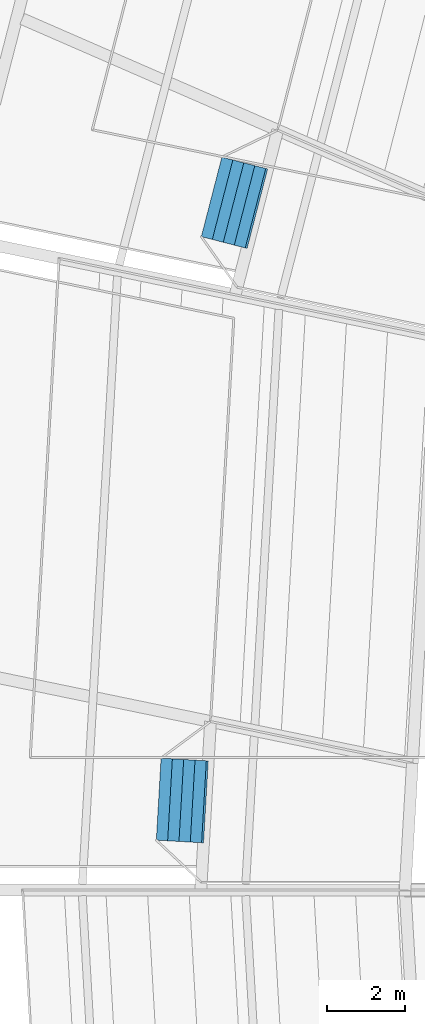
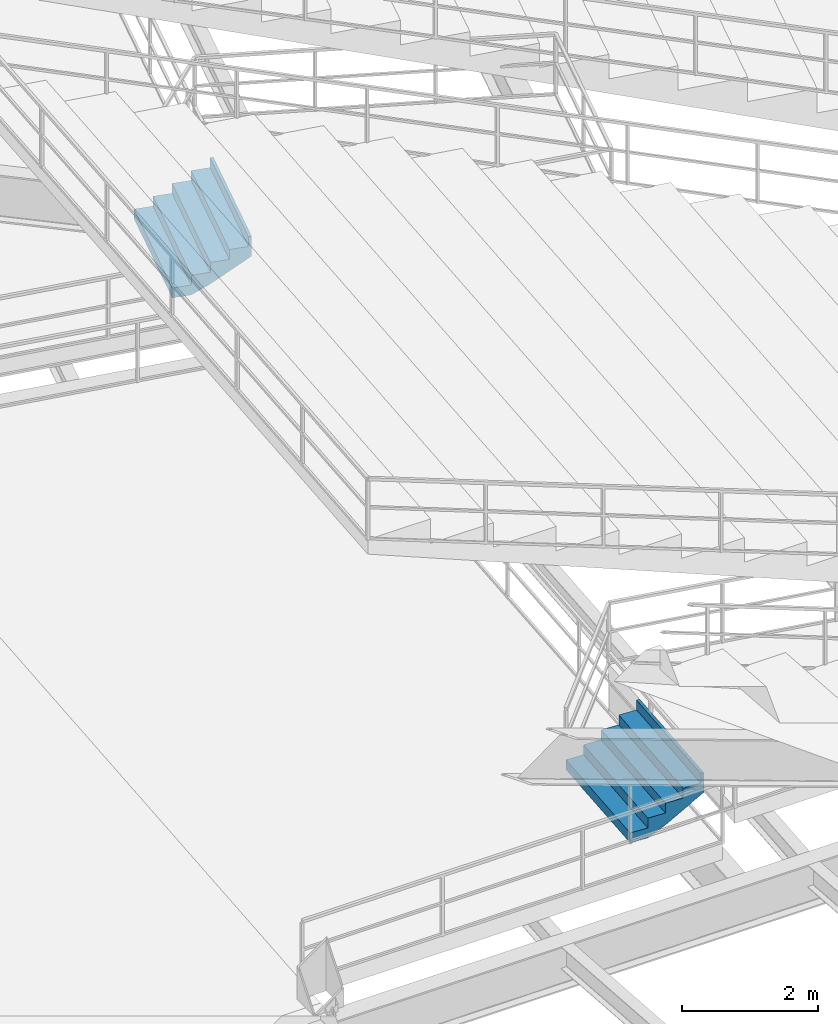
# One storey, part 151 of 186: 2 stair flights, 2 elements without a shape of their own.
"""IFC4 building model written with IfcOpenShell, lengths in metres."""

from ifc_helpers import new_model, si_unit, direction, frame, origin, place, context, subcontext, project, spatial, polygons, material, type_object, element, aggregate, save


model = new_model("IFC4")

# Units and contexts
model_context = context("Model", 3, precision=1e-05, world=origin(), true_north=direction((0.0, 1.0)))
body_context = subcontext(model_context, "Body", "Model", "MODEL_VIEW")
ifc_project = project(units=[si_unit("LENGTHUNIT", "METRE"), si_unit("AREAUNIT", "SQUARE_METRE"), si_unit("VOLUMEUNIT", "CUBIC_METRE"), si_unit("PLANEANGLEUNIT", "RADIAN"), si_unit("MASSUNIT", "GRAM", prefix="KILO")], contexts=[model_context])

# Site, building, storey
site_placement = place(None, origin())
site = spatial("IfcSite", under=ifc_project, at=site_placement, CompositionType="ELEMENT")
building_placement = place(site_placement, origin())
building = spatial("IfcBuilding", under=site, at=building_placement, Name="Kazemori Nagisa Stadium", CompositionType="ELEMENT")
storey_placement = place(building_placement, frame((0.0, 0.0, 20.39990234375)))
storey = spatial("IfcBuildingStorey", under=building, at=storey_placement, Name="L04", CompositionType="ELEMENT", Elevation=20.39990234375)

# Stair, stair flight
ifc_material = material(Name="Concrete C36/45 (Fc36)", Category="concrete")
stair_type = type_object("IfcStairType", Name="Stair_VOM_VU", PredefinedType="STRAIGHT_RUN_STAIR", material=ifc_material)
stair_1_placement = place(storey_placement, origin())
stair_1 = element("IfcStair", 1, at=stair_1_placement, inside=storey, type_object=stair_type, Name="Vomitory stair upper VU05", PredefinedType="STRAIGHT_RUN_STAIR")
stair_flight_type = type_object("IfcStairFlightType", Name="Flight_VOM_VU", PredefinedType="STRAIGHT", material=ifc_material)
stair_flight_1_placement = place(storey_placement, frame((48.700439453125, 119.732177734375, 0.0), z_axis=(0.0, 0.0, 1.0), x_axis=(0.968244465831, -0.250005308717, 0.0)))
stair_flight_1 = element("IfcStairFlight", 2, at=stair_flight_1_placement, type_object=stair_flight_type, Name="Vomitory stair upper VU05 flight", NumberOfRisers=5, NumberOfTreads=4, PredefinedType="STRAIGHT", RiserHeight=0.176, TreadLength=0.29, context=body_context, shape_type="Tessellation", body=[
    polygons([(0.0, -1.050048828125, 0.0), (0.0, -1.050048828125, 0.176025390625), (0.2900390625, -1.050048828125, 0.176025390625), (0.2900390625, -1.050048828125, 0.35205078125), (0.580078125, -1.050048828125, 0.35205078125), (0.580078125, -1.050048828125, 0.528076171875), (0.8701171875, -1.050048828125, 0.528076171875), (0.8701171875, -1.050048828125, 0.7041015625), (1.159912109375, -1.050048828125, 0.7041015625), (1.159912109375, -1.050048828125, 0.8798828125), (1.2099609375, -1.050048828125, 0.8798828125), (1.2099609375, -1.050048828125, 0.52392578125), (1.159912109375, -1.050048828125, 0.493408203125), (0.8701171875, -1.050048828125, 0.317626953125), (0.580078125, -1.050048828125, 0.1416015625), (0.2900390625, -1.050048828125, 0.0), (0.0, -0.083984375, 0.0), (0.0, -0.083984375, 0.176025390625), (0.2900390625, -0.083984375, 0.176025390625), (0.2900390625, -0.083984375, 0.35205078125), (0.580078125, -0.083984375, 0.35205078125), (0.580078125, -0.083984375, 0.528076171875), (0.8701171875, -0.083984375, 0.528076171875), (0.8701171875, -0.083984375, 0.7041015625), (1.159912109375, -0.083984375, 0.7041015625), (1.159912109375, -0.083984375, 0.8798828125), (1.2099609375, -0.083984375, 0.8798828125), (1.2099609375, -0.083984375, 0.52392578125), (1.159912109375, -0.083984375, 0.493408203125), (0.8701171875, -0.083984375, 0.317626953125), (0.580078125, -0.083984375, 0.1416015625), (0.2900390625, -0.083984375, 0.0), (0.0, -0.06298828125, 0.0), (0.0, -0.06298828125, 0.176025390625), (0.2900390625, -0.06298828125, 0.176025390625), (0.2900390625, -0.06298828125, 0.35205078125), (0.580078125, -0.06298828125, 0.35205078125), (0.580078125, -0.06298828125, 0.528076171875), (0.8701171875, -0.06298828125, 0.528076171875), (0.8701171875, -0.06298828125, 0.7041015625), (1.159912109375, -0.06298828125, 0.7041015625), (1.159912109375, -0.06298828125, 0.8798828125), (1.2099609375, -0.06298828125, 0.8798828125), (1.2099609375, -0.06298828125, 0.52392578125), (1.159912109375, -0.06298828125, 0.493408203125), (0.8701171875, -0.06298828125, 0.317626953125), (0.580078125, -0.06298828125, 0.1416015625), (0.2900390625, -0.06298828125, 0.0), (0.0, -0.0419921875, 0.0), (0.0, -0.0419921875, 0.176025390625), (0.2900390625, -0.0419921875, 0.176025390625), (0.2900390625, -0.0419921875, 0.35205078125), (0.580078125, -0.0419921875, 0.35205078125), (0.580078125, -0.0419921875, 0.528076171875), (0.8701171875, -0.0419921875, 0.528076171875), (0.8701171875, -0.0419921875, 0.7041015625), (1.159912109375, -0.0419921875, 0.7041015625), (1.159912109375, -0.0419921875, 0.8798828125), (1.2099609375, -0.0419921875, 0.8798828125), (1.2099609375, -0.0419921875, 0.52392578125), (1.159912109375, -0.0419921875, 0.493408203125), (0.8701171875, -0.0419921875, 0.317626953125), (0.580078125, -0.0419921875, 0.1416015625), (0.2900390625, -0.0419921875, 0.0), (0.0, -0.02099609375, 0.0), (0.0, -0.02099609375, 0.176025390625), (0.2900390625, -0.02099609375, 0.176025390625), (0.2900390625, -0.02099609375, 0.35205078125), (0.580078125, -0.02099609375, 0.35205078125), (0.580078125, -0.02099609375, 0.528076171875), (0.8701171875, -0.02099609375, 0.528076171875), (0.8701171875, -0.02099609375, 0.7041015625), (1.159912109375, -0.02099609375, 0.7041015625), (1.159912109375, -0.02099609375, 0.8798828125), (1.2099609375, -0.02099609375, 0.8798828125), (1.2099609375, -0.02099609375, 0.52392578125), (1.159912109375, -0.02099609375, 0.493408203125), (0.8701171875, -0.02099609375, 0.317626953125), (0.580078125, -0.02099609375, 0.1416015625), (0.2900390625, -0.02099609375, 0.0), (0.0, 0.0, 0.0), (0.0, 0.0, 0.176025390625), (0.2900390625, 0.0, 0.176025390625), (0.2900390625, 0.0, 0.35205078125), (0.580078125, 0.0, 0.35205078125), (0.580078125, 0.0, 0.528076171875), (0.8701171875, 0.0, 0.528076171875), (0.8701171875, 0.0, 0.7041015625), (1.159912109375, 0.0, 0.7041015625), (1.159912109375, 0.0, 0.8798828125), (1.2099609375, 0.0, 0.8798828125), (1.2099609375, 0.0, 0.52392578125), (1.159912109375, 0.0, 0.493408203125), (0.8701171875, 0.0, 0.317626953125), (0.580078125, 0.0, 0.1416015625), (0.2900390625, 0.0, 0.0), (0.0, 0.02099609375, 0.0), (0.0, 0.02099609375, 0.176025390625), (0.2900390625, 0.02099609375, 0.176025390625), (0.2900390625, 0.02099609375, 0.35205078125), (0.580078125, 0.02099609375, 0.35205078125), (0.580078125, 0.02099609375, 0.528076171875), (0.8701171875, 0.02099609375, 0.528076171875), (0.8701171875, 0.02099609375, 0.7041015625), (1.159912109375, 0.02099609375, 0.7041015625), (1.159912109375, 0.02099609375, 0.8798828125), (1.2099609375, 0.02099609375, 0.8798828125), (1.2099609375, 0.02099609375, 0.52392578125), (1.159912109375, 0.02099609375, 0.493408203125), (0.8701171875, 0.02099609375, 0.317626953125), (0.580078125, 0.02099609375, 0.1416015625), (0.2900390625, 0.02099609375, 0.0), (0.0, 0.0419921875, 0.0), (0.0, 0.0419921875, 0.176025390625), (0.2900390625, 0.0419921875, 0.176025390625), (0.2900390625, 0.0419921875, 0.35205078125), (0.580078125, 0.0419921875, 0.35205078125), (0.580078125, 0.0419921875, 0.528076171875), (0.8701171875, 0.0419921875, 0.528076171875), (0.8701171875, 0.0419921875, 0.7041015625), (1.159912109375, 0.0419921875, 0.7041015625), (1.159912109375, 0.0419921875, 0.8798828125), (1.2099609375, 0.0419921875, 0.8798828125), (1.2099609375, 0.0419921875, 0.52392578125), (1.159912109375, 0.0419921875, 0.493408203125), (0.8701171875, 0.0419921875, 0.317626953125), (0.580078125, 0.0419921875, 0.1416015625), (0.2900390625, 0.0419921875, 0.0), (0.0, 0.06298828125, 0.0), (0.0, 0.06298828125, 0.176025390625), (0.2900390625, 0.06298828125, 0.176025390625), (0.2900390625, 0.06298828125, 0.35205078125), (0.580078125, 0.06298828125, 0.35205078125), (0.580078125, 0.06298828125, 0.528076171875), (0.8701171875, 0.06298828125, 0.528076171875), (0.8701171875, 0.06298828125, 0.7041015625), (1.159912109375, 0.06298828125, 0.7041015625), (1.159912109375, 0.06298828125, 0.8798828125), (1.2099609375, 0.06298828125, 0.8798828125), (1.2099609375, 0.06298828125, 0.52392578125), (1.159912109375, 0.06298828125, 0.493408203125), (0.8701171875, 0.06298828125, 0.317626953125), (0.580078125, 0.06298828125, 0.1416015625), (0.2900390625, 0.06298828125, 0.0), (0.0, 0.083984375, 0.0), (0.0, 0.083984375, 0.176025390625), (0.2900390625, 0.083984375, 0.176025390625), (0.2900390625, 0.083984375, 0.35205078125), (0.580078125, 0.083984375, 0.35205078125), (0.580078125, 0.083984375, 0.528076171875), (0.8701171875, 0.083984375, 0.528076171875), (0.8701171875, 0.083984375, 0.7041015625), (1.159912109375, 0.083984375, 0.7041015625), (1.159912109375, 0.083984375, 0.8798828125), (1.2099609375, 0.083984375, 0.8798828125), (1.2099609375, 0.083984375, 0.52392578125), (1.159912109375, 0.083984375, 0.493408203125), (0.8701171875, 0.083984375, 0.317626953125), (0.580078125, 0.083984375, 0.1416015625), (0.2900390625, 0.083984375, 0.0), (0.0, 1.050048828125, 0.0), (0.0, 1.050048828125, 0.176025390625), (0.2900390625, 1.050048828125, 0.176025390625), (0.2900390625, 1.050048828125, 0.35205078125), (0.580078125, 1.050048828125, 0.35205078125), (0.580078125, 1.050048828125, 0.528076171875), (0.8701171875, 1.050048828125, 0.528076171875), (0.8701171875, 1.050048828125, 0.7041015625), (1.159912109375, 1.050048828125, 0.7041015625), (1.159912109375, 1.050048828125, 0.8798828125), (1.2099609375, 1.050048828125, 0.8798828125), (1.2099609375, 1.050048828125, 0.52392578125), (1.159912109375, 1.050048828125, 0.493408203125), (0.8701171875, 1.050048828125, 0.317626953125), (0.580078125, 1.050048828125, 0.1416015625), (0.2900390625, 1.050048828125, 0.0)], [[[1, 2, 18]], [[1, 18, 17]], [[2, 3, 19]], [[2, 19, 18]], [[3, 4, 20]], [[3, 20, 19]], [[4, 5, 21]], [[4, 21, 20]], [[5, 6, 22]], [[5, 22, 21]], [[6, 7, 23]], [[6, 23, 22]], [[7, 8, 24]], [[7, 24, 23]], [[8, 9, 25]], [[8, 25, 24]], [[9, 10, 26]], [[9, 26, 25]], [[10, 11, 27]], [[10, 27, 26]], [[11, 12, 28]], [[11, 28, 27]], [[12, 13, 29]], [[12, 29, 28]], [[13, 14, 30]], [[13, 30, 29]], [[14, 15, 31]], [[14, 31, 30]], [[15, 16, 32]], [[15, 32, 31]], [[16, 1, 17]], [[16, 17, 32]], [[17, 18, 34]], [[17, 34, 33]], [[18, 19, 35]], [[18, 35, 34]], [[19, 20, 36]], [[19, 36, 35]], [[20, 21, 37]], [[20, 37, 36]], [[21, 22, 38]], [[21, 38, 37]], [[22, 23, 39]], [[22, 39, 38]], [[23, 24, 40]], [[23, 40, 39]], [[24, 25, 41]], [[24, 41, 40]], [[25, 26, 42]], [[25, 42, 41]], [[26, 27, 43]], [[26, 43, 42]], [[27, 28, 44]], [[27, 44, 43]], [[28, 29, 45]], [[28, 45, 44]], [[29, 30, 46]], [[29, 46, 45]], [[30, 31, 47]], [[30, 47, 46]], [[31, 32, 48]], [[31, 48, 47]], [[32, 17, 33]], [[32, 33, 48]], [[33, 34, 50]], [[33, 50, 49]], [[34, 35, 51]], [[34, 51, 50]], [[35, 36, 52]], [[35, 52, 51]], [[36, 37, 53]], [[36, 53, 52]], [[37, 38, 54]], [[37, 54, 53]], [[38, 39, 55]], [[38, 55, 54]], [[39, 40, 56]], [[39, 56, 55]], [[40, 41, 57]], [[40, 57, 56]], [[41, 42, 58]], [[41, 58, 57]], [[42, 43, 59]], [[42, 59, 58]], [[43, 44, 60]], [[43, 60, 59]], [[44, 45, 61]], [[44, 61, 60]], [[45, 46, 62]], [[45, 62, 61]], [[46, 47, 63]], [[46, 63, 62]], [[47, 48, 64]], [[47, 64, 63]], [[48, 33, 49]], [[48, 49, 64]], [[49, 50, 66]], [[49, 66, 65]], [[50, 51, 67]], [[50, 67, 66]], [[51, 52, 68]], [[51, 68, 67]], [[52, 53, 69]], [[52, 69, 68]], [[53, 54, 70]], [[53, 70, 69]], [[54, 55, 71]], [[54, 71, 70]], [[55, 56, 72]], [[55, 72, 71]], [[56, 57, 73]], [[56, 73, 72]], [[57, 58, 74]], [[57, 74, 73]], [[58, 59, 75]], [[58, 75, 74]], [[59, 60, 76]], [[59, 76, 75]], [[60, 61, 77]], [[60, 77, 76]], [[61, 62, 78]], [[61, 78, 77]], [[62, 63, 79]], [[62, 79, 78]], [[63, 64, 80]], [[63, 80, 79]], [[64, 49, 65]], [[64, 65, 80]], [[65, 66, 82]], [[65, 82, 81]], [[66, 67, 83]], [[66, 83, 82]], [[67, 68, 84]], [[67, 84, 83]], [[68, 69, 85]], [[68, 85, 84]], [[69, 70, 86]], [[69, 86, 85]], [[70, 71, 87]], [[70, 87, 86]], [[71, 72, 88]], [[71, 88, 87]], [[72, 73, 89]], [[72, 89, 88]], [[73, 74, 90]], [[73, 90, 89]], [[74, 75, 91]], [[74, 91, 90]], [[75, 76, 92]], [[75, 92, 91]], [[76, 77, 93]], [[76, 93, 92]], [[77, 78, 94]], [[77, 94, 93]], [[78, 79, 95]], [[78, 95, 94]], [[79, 80, 96]], [[79, 96, 95]], [[80, 65, 81]], [[80, 81, 96]], [[81, 82, 98]], [[81, 98, 97]], [[82, 83, 99]], [[82, 99, 98]], [[83, 84, 100]], [[83, 100, 99]], [[84, 85, 101]], [[84, 101, 100]], [[85, 86, 102]], [[85, 102, 101]], [[86, 87, 103]], [[86, 103, 102]], [[87, 88, 104]], [[87, 104, 103]], [[88, 89, 105]], [[88, 105, 104]], [[89, 90, 106]], [[89, 106, 105]], [[90, 91, 107]], [[90, 107, 106]], [[91, 92, 108]], [[91, 108, 107]], [[92, 93, 109]], [[92, 109, 108]], [[93, 94, 110]], [[93, 110, 109]], [[94, 95, 111]], [[94, 111, 110]], [[95, 96, 112]], [[95, 112, 111]], [[96, 81, 97]], [[96, 97, 112]], [[97, 98, 114]], [[97, 114, 113]], [[98, 99, 115]], [[98, 115, 114]], [[99, 100, 116]], [[99, 116, 115]], [[100, 101, 117]], [[100, 117, 116]], [[101, 102, 118]], [[101, 118, 117]], [[102, 103, 119]], [[102, 119, 118]], [[103, 104, 120]], [[103, 120, 119]], [[104, 105, 121]], [[104, 121, 120]], [[105, 106, 122]], [[105, 122, 121]], [[106, 107, 123]], [[106, 123, 122]], [[107, 108, 124]], [[107, 124, 123]], [[108, 109, 125]], [[108, 125, 124]], [[109, 110, 126]], [[109, 126, 125]], [[110, 111, 127]], [[110, 127, 126]], [[111, 112, 128]], [[111, 128, 127]], [[112, 97, 113]], [[112, 113, 128]], [[113, 114, 130]], [[113, 130, 129]], [[114, 115, 131]], [[114, 131, 130]], [[115, 116, 132]], [[115, 132, 131]], [[116, 117, 133]], [[116, 133, 132]], [[117, 118, 134]], [[117, 134, 133]], [[118, 119, 135]], [[118, 135, 134]], [[119, 120, 136]], [[119, 136, 135]], [[120, 121, 137]], [[120, 137, 136]], [[121, 122, 138]], [[121, 138, 137]], [[122, 123, 139]], [[122, 139, 138]], [[123, 124, 140]], [[123, 140, 139]], [[124, 125, 141]], [[124, 141, 140]], [[125, 126, 142]], [[125, 142, 141]], [[126, 127, 143]], [[126, 143, 142]], [[127, 128, 144]], [[127, 144, 143]], [[128, 113, 129]], [[128, 129, 144]], [[129, 130, 146]], [[129, 146, 145]], [[130, 131, 147]], [[130, 147, 146]], [[131, 132, 148]], [[131, 148, 147]], [[132, 133, 149]], [[132, 149, 148]], [[133, 134, 150]], [[133, 150, 149]], [[134, 135, 151]], [[134, 151, 150]], [[135, 136, 152]], [[135, 152, 151]], [[136, 137, 153]], [[136, 153, 152]], [[137, 138, 154]], [[137, 154, 153]], [[138, 139, 155]], [[138, 155, 154]], [[139, 140, 156]], [[139, 156, 155]], [[140, 141, 157]], [[140, 157, 156]], [[141, 142, 158]], [[141, 158, 157]], [[142, 143, 159]], [[142, 159, 158]], [[143, 144, 160]], [[143, 160, 159]], [[144, 129, 145]], [[144, 145, 160]], [[145, 146, 162]], [[145, 162, 161]], [[146, 147, 163]], [[146, 163, 162]], [[147, 148, 164]], [[147, 164, 163]], [[148, 149, 165]], [[148, 165, 164]], [[149, 150, 166]], [[149, 166, 165]], [[150, 151, 167]], [[150, 167, 166]], [[151, 152, 168]], [[151, 168, 167]], [[152, 153, 169]], [[152, 169, 168]], [[153, 154, 170]], [[153, 170, 169]], [[154, 155, 171]], [[154, 171, 170]], [[155, 156, 172]], [[155, 172, 171]], [[156, 157, 173]], [[156, 173, 172]], [[157, 158, 174]], [[157, 174, 173]], [[158, 159, 175]], [[158, 175, 174]], [[159, 160, 176]], [[159, 176, 175]], [[160, 145, 161]], [[160, 161, 176]], [[3, 2, 1]], [[161, 162, 163]], [[16, 3, 1]], [[161, 163, 176]], [[15, 3, 16]], [[176, 163, 175]], [[5, 3, 15]], [[175, 163, 165]], [[5, 4, 3]], [[163, 164, 165]], [[14, 5, 15]], [[175, 165, 174]], [[7, 5, 14]], [[174, 165, 167]], [[7, 6, 5]], [[165, 166, 167]], [[13, 7, 14]], [[174, 167, 173]], [[9, 7, 13]], [[173, 167, 169]], [[9, 8, 7]], [[167, 168, 169]], [[12, 9, 13]], [[173, 169, 172]], [[11, 9, 12]], [[172, 169, 171]], [[11, 10, 9]], [[169, 170, 171]]], closed=True),
])
aggregate(stair_1, [stair_flight_1])

stair_2_placement = place(storey_placement, origin())
stair_2 = element("IfcStair", 3, at=stair_2_placement, inside=storey, type_object=stair_type, Name="Vomitory stair upper VU06", PredefinedType="STRAIGHT_RUN_STAIR")
stair_flight_2_placement = place(storey_placement, frame((47.34716796875, 104.3251953125, 0.0), z_axis=(0.0, 0.0, 1.0), x_axis=(0.998347613733, -0.057463398387, 0.0)))
stair_flight_2 = element("IfcStairFlight", 4, at=stair_flight_2_placement, type_object=stair_flight_type, Name="Vomitory stair upper VU06 flight", NumberOfRisers=5, NumberOfTreads=4, PredefinedType="STRAIGHT", RiserHeight=0.176, TreadLength=0.29, context=body_context, shape_type="Tessellation", body=[
    polygons([(0.0, -1.050048828125, 0.0), (0.0, -1.050048828125, 0.176025390625), (0.2900390625, -1.050048828125, 0.176025390625), (0.2900390625, -1.050048828125, 0.35205078125), (0.580078125, -1.050048828125, 0.35205078125), (0.580078125, -1.050048828125, 0.528076171875), (0.8701171875, -1.050048828125, 0.528076171875), (0.8701171875, -1.050048828125, 0.7041015625), (1.159912109375, -1.050048828125, 0.7041015625), (1.159912109375, -1.050048828125, 0.8798828125), (1.2099609375, -1.050048828125, 0.8798828125), (1.2099609375, -1.050048828125, 0.52392578125), (1.159912109375, -1.050048828125, 0.493408203125), (0.8701171875, -1.050048828125, 0.317626953125), (0.580078125, -1.050048828125, 0.1416015625), (0.2900390625, -1.050048828125, 0.0), (0.0, -0.083984375, 0.0), (0.0, -0.083984375, 0.176025390625), (0.2900390625, -0.083984375, 0.176025390625), (0.2900390625, -0.083984375, 0.35205078125), (0.580078125, -0.083984375, 0.35205078125), (0.580078125, -0.083984375, 0.528076171875), (0.8701171875, -0.083984375, 0.528076171875), (0.8701171875, -0.083984375, 0.7041015625), (1.159912109375, -0.083984375, 0.7041015625), (1.159912109375, -0.083984375, 0.8798828125), (1.2099609375, -0.083984375, 0.8798828125), (1.2099609375, -0.083984375, 0.52392578125), (1.159912109375, -0.083984375, 0.493408203125), (0.8701171875, -0.083984375, 0.317626953125), (0.580078125, -0.083984375, 0.1416015625), (0.2900390625, -0.083984375, 0.0), (0.0, -0.06298828125, 0.0), (0.0, -0.06298828125, 0.176025390625), (0.2900390625, -0.06298828125, 0.176025390625), (0.2900390625, -0.06298828125, 0.35205078125), (0.580078125, -0.06298828125, 0.35205078125), (0.580078125, -0.06298828125, 0.528076171875), (0.8701171875, -0.06298828125, 0.528076171875), (0.8701171875, -0.06298828125, 0.7041015625), (1.159912109375, -0.06298828125, 0.7041015625), (1.159912109375, -0.06298828125, 0.8798828125), (1.2099609375, -0.06298828125, 0.8798828125), (1.2099609375, -0.06298828125, 0.52392578125), (1.159912109375, -0.06298828125, 0.493408203125), (0.8701171875, -0.06298828125, 0.317626953125), (0.580078125, -0.06298828125, 0.1416015625), (0.2900390625, -0.06298828125, 0.0), (0.0, -0.0419921875, 0.0), (0.0, -0.0419921875, 0.176025390625), (0.2900390625, -0.0419921875, 0.176025390625), (0.2900390625, -0.0419921875, 0.35205078125), (0.580078125, -0.0419921875, 0.35205078125), (0.580078125, -0.0419921875, 0.528076171875), (0.8701171875, -0.0419921875, 0.528076171875), (0.8701171875, -0.0419921875, 0.7041015625), (1.159912109375, -0.0419921875, 0.7041015625), (1.159912109375, -0.0419921875, 0.8798828125), (1.2099609375, -0.0419921875, 0.8798828125), (1.2099609375, -0.0419921875, 0.52392578125), (1.159912109375, -0.0419921875, 0.493408203125), (0.8701171875, -0.0419921875, 0.317626953125), (0.580078125, -0.0419921875, 0.1416015625), (0.2900390625, -0.0419921875, 0.0), (0.0, -0.02099609375, 0.0), (0.0, -0.02099609375, 0.176025390625), (0.2900390625, -0.02099609375, 0.176025390625), (0.2900390625, -0.02099609375, 0.35205078125), (0.580078125, -0.02099609375, 0.35205078125), (0.580078125, -0.02099609375, 0.528076171875), (0.8701171875, -0.02099609375, 0.528076171875), (0.8701171875, -0.02099609375, 0.7041015625), (1.159912109375, -0.02099609375, 0.7041015625), (1.159912109375, -0.02099609375, 0.8798828125), (1.2099609375, -0.02099609375, 0.8798828125), (1.2099609375, -0.02099609375, 0.52392578125), (1.159912109375, -0.02099609375, 0.493408203125), (0.8701171875, -0.02099609375, 0.317626953125), (0.580078125, -0.02099609375, 0.1416015625), (0.2900390625, -0.02099609375, 0.0), (0.0, 0.0, 0.0), (0.0, 0.0, 0.176025390625), (0.2900390625, 0.0, 0.176025390625), (0.2900390625, 0.0, 0.35205078125), (0.580078125, 0.0, 0.35205078125), (0.580078125, 0.0, 0.528076171875), (0.8701171875, 0.0, 0.528076171875), (0.8701171875, 0.0, 0.7041015625), (1.159912109375, 0.0, 0.7041015625), (1.159912109375, 0.0, 0.8798828125), (1.2099609375, 0.0, 0.8798828125), (1.2099609375, 0.0, 0.52392578125), (1.159912109375, 0.0, 0.493408203125), (0.8701171875, 0.0, 0.317626953125), (0.580078125, 0.0, 0.1416015625), (0.2900390625, 0.0, 0.0), (0.0, 0.02099609375, 0.0), (0.0, 0.02099609375, 0.176025390625), (0.2900390625, 0.02099609375, 0.176025390625), (0.2900390625, 0.02099609375, 0.35205078125), (0.580078125, 0.02099609375, 0.35205078125), (0.580078125, 0.02099609375, 0.528076171875), (0.8701171875, 0.02099609375, 0.528076171875), (0.8701171875, 0.02099609375, 0.7041015625), (1.159912109375, 0.02099609375, 0.7041015625), (1.159912109375, 0.02099609375, 0.8798828125), (1.2099609375, 0.02099609375, 0.8798828125), (1.2099609375, 0.02099609375, 0.52392578125), (1.159912109375, 0.02099609375, 0.493408203125), (0.8701171875, 0.02099609375, 0.317626953125), (0.580078125, 0.02099609375, 0.1416015625), (0.2900390625, 0.02099609375, 0.0), (0.0, 0.0419921875, 0.0), (0.0, 0.0419921875, 0.176025390625), (0.2900390625, 0.0419921875, 0.176025390625), (0.2900390625, 0.0419921875, 0.35205078125), (0.580078125, 0.0419921875, 0.35205078125), (0.580078125, 0.0419921875, 0.528076171875), (0.8701171875, 0.0419921875, 0.528076171875), (0.8701171875, 0.0419921875, 0.7041015625), (1.159912109375, 0.0419921875, 0.7041015625), (1.159912109375, 0.0419921875, 0.8798828125), (1.2099609375, 0.0419921875, 0.8798828125), (1.2099609375, 0.0419921875, 0.52392578125), (1.159912109375, 0.0419921875, 0.493408203125), (0.8701171875, 0.0419921875, 0.317626953125), (0.580078125, 0.0419921875, 0.1416015625), (0.2900390625, 0.0419921875, 0.0), (0.0, 0.06298828125, 0.0), (0.0, 0.06298828125, 0.176025390625), (0.2900390625, 0.06298828125, 0.176025390625), (0.2900390625, 0.06298828125, 0.35205078125), (0.580078125, 0.06298828125, 0.35205078125), (0.580078125, 0.06298828125, 0.528076171875), (0.8701171875, 0.06298828125, 0.528076171875), (0.8701171875, 0.06298828125, 0.7041015625), (1.159912109375, 0.06298828125, 0.7041015625), (1.159912109375, 0.06298828125, 0.8798828125), (1.2099609375, 0.06298828125, 0.8798828125), (1.2099609375, 0.06298828125, 0.52392578125), (1.159912109375, 0.06298828125, 0.493408203125), (0.8701171875, 0.06298828125, 0.317626953125), (0.580078125, 0.06298828125, 0.1416015625), (0.2900390625, 0.06298828125, 0.0), (0.0, 0.083984375, 0.0), (0.0, 0.083984375, 0.176025390625), (0.2900390625, 0.083984375, 0.176025390625), (0.2900390625, 0.083984375, 0.35205078125), (0.580078125, 0.083984375, 0.35205078125), (0.580078125, 0.083984375, 0.528076171875), (0.8701171875, 0.083984375, 0.528076171875), (0.8701171875, 0.083984375, 0.7041015625), (1.159912109375, 0.083984375, 0.7041015625), (1.159912109375, 0.083984375, 0.8798828125), (1.2099609375, 0.083984375, 0.8798828125), (1.2099609375, 0.083984375, 0.52392578125), (1.159912109375, 0.083984375, 0.493408203125), (0.8701171875, 0.083984375, 0.317626953125), (0.580078125, 0.083984375, 0.1416015625), (0.2900390625, 0.083984375, 0.0), (0.0, 1.050048828125, 0.0), (0.0, 1.050048828125, 0.176025390625), (0.2900390625, 1.050048828125, 0.176025390625), (0.2900390625, 1.050048828125, 0.35205078125), (0.580078125, 1.050048828125, 0.35205078125), (0.580078125, 1.050048828125, 0.528076171875), (0.8701171875, 1.050048828125, 0.528076171875), (0.8701171875, 1.050048828125, 0.7041015625), (1.159912109375, 1.050048828125, 0.7041015625), (1.159912109375, 1.050048828125, 0.8798828125), (1.2099609375, 1.050048828125, 0.8798828125), (1.2099609375, 1.050048828125, 0.52392578125), (1.159912109375, 1.050048828125, 0.493408203125), (0.8701171875, 1.050048828125, 0.317626953125), (0.580078125, 1.050048828125, 0.1416015625), (0.2900390625, 1.050048828125, 0.0)], [[[1, 2, 18]], [[1, 18, 17]], [[2, 3, 19]], [[2, 19, 18]], [[3, 4, 20]], [[3, 20, 19]], [[4, 5, 21]], [[4, 21, 20]], [[5, 6, 22]], [[5, 22, 21]], [[6, 7, 23]], [[6, 23, 22]], [[7, 8, 24]], [[7, 24, 23]], [[8, 9, 25]], [[8, 25, 24]], [[9, 10, 26]], [[9, 26, 25]], [[10, 11, 27]], [[10, 27, 26]], [[11, 12, 28]], [[11, 28, 27]], [[12, 13, 29]], [[12, 29, 28]], [[13, 14, 30]], [[13, 30, 29]], [[14, 15, 31]], [[14, 31, 30]], [[15, 16, 32]], [[15, 32, 31]], [[16, 1, 17]], [[16, 17, 32]], [[17, 18, 34]], [[17, 34, 33]], [[18, 19, 35]], [[18, 35, 34]], [[19, 20, 36]], [[19, 36, 35]], [[20, 21, 37]], [[20, 37, 36]], [[21, 22, 38]], [[21, 38, 37]], [[22, 23, 39]], [[22, 39, 38]], [[23, 24, 40]], [[23, 40, 39]], [[24, 25, 41]], [[24, 41, 40]], [[25, 26, 42]], [[25, 42, 41]], [[26, 27, 43]], [[26, 43, 42]], [[27, 28, 44]], [[27, 44, 43]], [[28, 29, 45]], [[28, 45, 44]], [[29, 30, 46]], [[29, 46, 45]], [[30, 31, 47]], [[30, 47, 46]], [[31, 32, 48]], [[31, 48, 47]], [[32, 17, 33]], [[32, 33, 48]], [[33, 34, 50]], [[33, 50, 49]], [[34, 35, 51]], [[34, 51, 50]], [[35, 36, 52]], [[35, 52, 51]], [[36, 37, 53]], [[36, 53, 52]], [[37, 38, 54]], [[37, 54, 53]], [[38, 39, 55]], [[38, 55, 54]], [[39, 40, 56]], [[39, 56, 55]], [[40, 41, 57]], [[40, 57, 56]], [[41, 42, 58]], [[41, 58, 57]], [[42, 43, 59]], [[42, 59, 58]], [[43, 44, 60]], [[43, 60, 59]], [[44, 45, 61]], [[44, 61, 60]], [[45, 46, 62]], [[45, 62, 61]], [[46, 47, 63]], [[46, 63, 62]], [[47, 48, 64]], [[47, 64, 63]], [[48, 33, 49]], [[48, 49, 64]], [[49, 50, 66]], [[49, 66, 65]], [[50, 51, 67]], [[50, 67, 66]], [[51, 52, 68]], [[51, 68, 67]], [[52, 53, 69]], [[52, 69, 68]], [[53, 54, 70]], [[53, 70, 69]], [[54, 55, 71]], [[54, 71, 70]], [[55, 56, 72]], [[55, 72, 71]], [[56, 57, 73]], [[56, 73, 72]], [[57, 58, 74]], [[57, 74, 73]], [[58, 59, 75]], [[58, 75, 74]], [[59, 60, 76]], [[59, 76, 75]], [[60, 61, 77]], [[60, 77, 76]], [[61, 62, 78]], [[61, 78, 77]], [[62, 63, 79]], [[62, 79, 78]], [[63, 64, 80]], [[63, 80, 79]], [[64, 49, 65]], [[64, 65, 80]], [[65, 66, 82]], [[65, 82, 81]], [[66, 67, 83]], [[66, 83, 82]], [[67, 68, 84]], [[67, 84, 83]], [[68, 69, 85]], [[68, 85, 84]], [[69, 70, 86]], [[69, 86, 85]], [[70, 71, 87]], [[70, 87, 86]], [[71, 72, 88]], [[71, 88, 87]], [[72, 73, 89]], [[72, 89, 88]], [[73, 74, 90]], [[73, 90, 89]], [[74, 75, 91]], [[74, 91, 90]], [[75, 76, 92]], [[75, 92, 91]], [[76, 77, 93]], [[76, 93, 92]], [[77, 78, 94]], [[77, 94, 93]], [[78, 79, 95]], [[78, 95, 94]], [[79, 80, 96]], [[79, 96, 95]], [[80, 65, 81]], [[80, 81, 96]], [[81, 82, 98]], [[81, 98, 97]], [[82, 83, 99]], [[82, 99, 98]], [[83, 84, 100]], [[83, 100, 99]], [[84, 85, 101]], [[84, 101, 100]], [[85, 86, 102]], [[85, 102, 101]], [[86, 87, 103]], [[86, 103, 102]], [[87, 88, 104]], [[87, 104, 103]], [[88, 89, 105]], [[88, 105, 104]], [[89, 90, 106]], [[89, 106, 105]], [[90, 91, 107]], [[90, 107, 106]], [[91, 92, 108]], [[91, 108, 107]], [[92, 93, 109]], [[92, 109, 108]], [[93, 94, 110]], [[93, 110, 109]], [[94, 95, 111]], [[94, 111, 110]], [[95, 96, 112]], [[95, 112, 111]], [[96, 81, 97]], [[96, 97, 112]], [[97, 98, 114]], [[97, 114, 113]], [[98, 99, 115]], [[98, 115, 114]], [[99, 100, 116]], [[99, 116, 115]], [[100, 101, 117]], [[100, 117, 116]], [[101, 102, 118]], [[101, 118, 117]], [[102, 103, 119]], [[102, 119, 118]], [[103, 104, 120]], [[103, 120, 119]], [[104, 105, 121]], [[104, 121, 120]], [[105, 106, 122]], [[105, 122, 121]], [[106, 107, 123]], [[106, 123, 122]], [[107, 108, 124]], [[107, 124, 123]], [[108, 109, 125]], [[108, 125, 124]], [[109, 110, 126]], [[109, 126, 125]], [[110, 111, 127]], [[110, 127, 126]], [[111, 112, 128]], [[111, 128, 127]], [[112, 97, 113]], [[112, 113, 128]], [[113, 114, 130]], [[113, 130, 129]], [[114, 115, 131]], [[114, 131, 130]], [[115, 116, 132]], [[115, 132, 131]], [[116, 117, 133]], [[116, 133, 132]], [[117, 118, 134]], [[117, 134, 133]], [[118, 119, 135]], [[118, 135, 134]], [[119, 120, 136]], [[119, 136, 135]], [[120, 121, 137]], [[120, 137, 136]], [[121, 122, 138]], [[121, 138, 137]], [[122, 123, 139]], [[122, 139, 138]], [[123, 124, 140]], [[123, 140, 139]], [[124, 125, 141]], [[124, 141, 140]], [[125, 126, 142]], [[125, 142, 141]], [[126, 127, 143]], [[126, 143, 142]], [[127, 128, 144]], [[127, 144, 143]], [[128, 113, 129]], [[128, 129, 144]], [[129, 130, 146]], [[129, 146, 145]], [[130, 131, 147]], [[130, 147, 146]], [[131, 132, 148]], [[131, 148, 147]], [[132, 133, 149]], [[132, 149, 148]], [[133, 134, 150]], [[133, 150, 149]], [[134, 135, 151]], [[134, 151, 150]], [[135, 136, 152]], [[135, 152, 151]], [[136, 137, 153]], [[136, 153, 152]], [[137, 138, 154]], [[137, 154, 153]], [[138, 139, 155]], [[138, 155, 154]], [[139, 140, 156]], [[139, 156, 155]], [[140, 141, 157]], [[140, 157, 156]], [[141, 142, 158]], [[141, 158, 157]], [[142, 143, 159]], [[142, 159, 158]], [[143, 144, 160]], [[143, 160, 159]], [[144, 129, 145]], [[144, 145, 160]], [[145, 146, 162]], [[145, 162, 161]], [[146, 147, 163]], [[146, 163, 162]], [[147, 148, 164]], [[147, 164, 163]], [[148, 149, 165]], [[148, 165, 164]], [[149, 150, 166]], [[149, 166, 165]], [[150, 151, 167]], [[150, 167, 166]], [[151, 152, 168]], [[151, 168, 167]], [[152, 153, 169]], [[152, 169, 168]], [[153, 154, 170]], [[153, 170, 169]], [[154, 155, 171]], [[154, 171, 170]], [[155, 156, 172]], [[155, 172, 171]], [[156, 157, 173]], [[156, 173, 172]], [[157, 158, 174]], [[157, 174, 173]], [[158, 159, 175]], [[158, 175, 174]], [[159, 160, 176]], [[159, 176, 175]], [[160, 145, 161]], [[160, 161, 176]], [[3, 2, 1]], [[161, 162, 163]], [[16, 3, 1]], [[161, 163, 176]], [[15, 3, 16]], [[176, 163, 175]], [[5, 3, 15]], [[175, 163, 165]], [[5, 4, 3]], [[163, 164, 165]], [[14, 5, 15]], [[175, 165, 174]], [[7, 5, 14]], [[174, 165, 167]], [[7, 6, 5]], [[165, 166, 167]], [[13, 7, 14]], [[174, 167, 173]], [[9, 7, 13]], [[173, 167, 169]], [[9, 8, 7]], [[167, 168, 169]], [[12, 9, 13]], [[173, 169, 172]], [[11, 9, 12]], [[172, 169, 171]], [[11, 10, 9]], [[169, 170, 171]]], closed=True),
])
aggregate(stair_2, [stair_flight_2])

save(model, "model.ifc")
